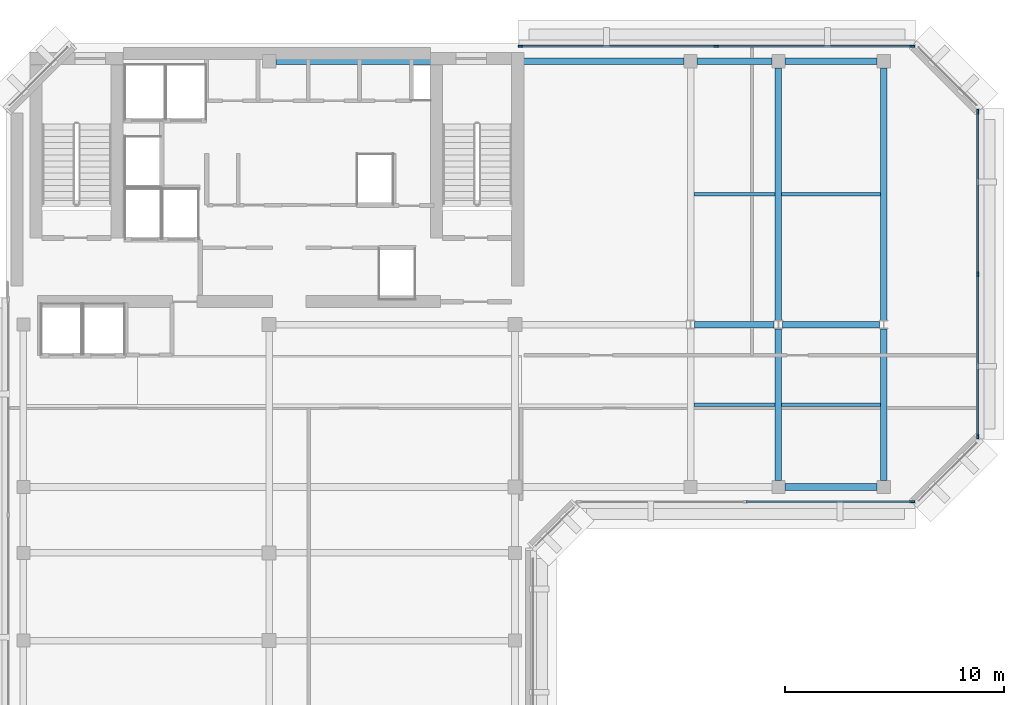
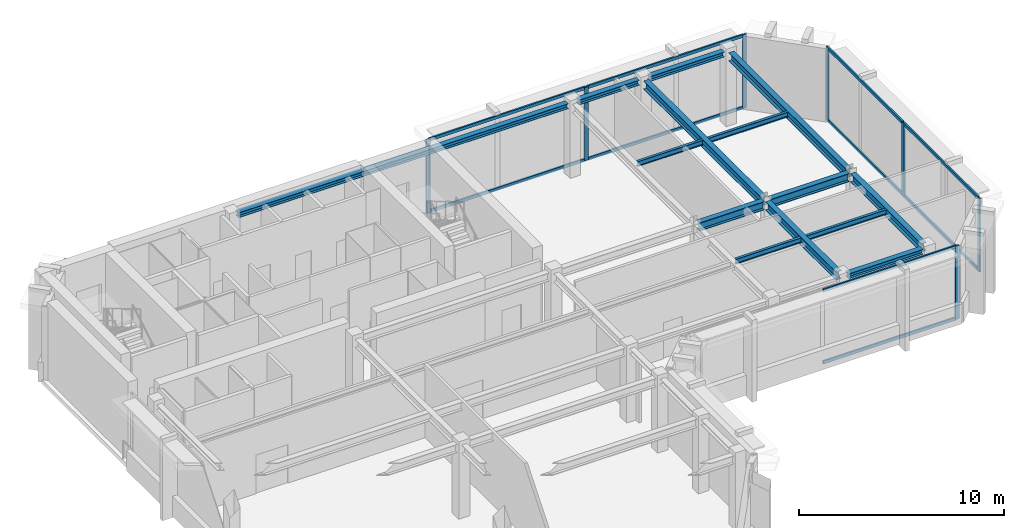
# One storey, part 3 of 9: 17 members, 14 beams, 3 elements without a shape of their own.
"""IFC4 building model written with IfcOpenShell, lengths in metres."""

from ifc_helpers import new_model, si_unit, direction, frame, origin, origin_2d, place, context, subcontext, project, spatial, rectangle, i_section, extrude, material, layer, layer_set, material_profile, profile_set, type_object, element, aggregate, save


model = new_model("IFC4")

# Units and contexts
model_context = context("Model", 3, precision=1e-05, world=origin(), true_north=direction((0.0, 1.0)))
body_context = subcontext(model_context, "Body", "Model", "MODEL_VIEW")
ifc_project = project(units=[si_unit("LENGTHUNIT", "METRE"), si_unit("AREAUNIT", "SQUARE_METRE"), si_unit("VOLUMEUNIT", "CUBIC_METRE"), si_unit("PLANEANGLEUNIT", "RADIAN"), si_unit("MASSUNIT", "GRAM", prefix="KILO")], contexts=[model_context])

# Site, building, storey
site_placement = place(None, origin())
site = spatial("IfcSite", under=ifc_project, at=site_placement, CompositionType="ELEMENT")
building_placement = place(site_placement, origin())
building = spatial("IfcBuilding", under=site, at=building_placement, Name="Kefirva Bronze Tower", CompositionType="ELEMENT")
storey_placement = place(building_placement, frame((0.0, 0.0, 352.110107421875)))
storey = spatial("IfcBuildingStorey", under=building, at=storey_placement, Name="L86", CompositionType="ELEMENT", Elevation=352.110107421875)

# Curtain wall, member
ifc_material_1 = material(Name="Bronze anodised aluminium", Category="aluminium")
ifc_layer = layer(ifc_material_1, 0.219970703125, Name="Bronze anodised aluminium")
ifc_layer_set = layer_set([ifc_layer], Name="Bronze anodised aluminium")
curtain_wall_type = type_object("IfcCurtainWallType", Name="Slanted Crown Faceted Bronze Curtain Wall", PredefinedType="USERDEFINED", material=ifc_layer_set)
curtain_wall_1_placement = place(storey_placement, origin())
curtain_wall_1 = element("IfcCurtainWall", 1, at=curtain_wall_1_placement, inside=storey, type_object=curtain_wall_type, Name="L86 Curtain Wall 2", ObjectType="UNITISED CURTAIN WALL", PredefinedType="USERDEFINED")
ifc_material_profile_1 = material_profile(ifc_material_1, rectangle(XDim=0.090087890625, YDim=0.219970703125, at=origin_2d()), Name="ALU 90x220")
ifc_profile_set_1 = profile_set([ifc_material_profile_1], Name="Bronze anodised aluminium")
member_type_1 = type_object("IfcMemberType", Name="Bronze Mullion 90x220", PredefinedType="MULLION", material=ifc_profile_set_1)
member_1_placement = place(storey_placement, frame((41.300048828125, 25.1201171875, 0.0), z_axis=(0.0, 0.0, 1.0), x_axis=(0.0, 1.0, 0.0)))
member_1 = element("IfcMember", 2, at=member_1_placement, type_object=member_type_1, Name="CW-07 mullion 3", PredefinedType="MULLION", context=body_context, shape_type="SweptSolid", body=[
    extrude(rectangle(XDim=0.090087890625, YDim=0.219970703125, at=origin_2d()), origin(), (0.0, 0.0, 1.0), 4.369873046875),
])

# Curtain wall, members
curtain_wall_2_placement = place(storey_placement, origin())
curtain_wall_2 = element("IfcCurtainWall", 3, at=curtain_wall_2_placement, inside=storey, type_object=curtain_wall_type, Name="L86 Curtain Wall 3", ObjectType="UNITISED CURTAIN WALL", PredefinedType="USERDEFINED")
member_2_placement = place(storey_placement, frame((44.280029296875, 28.10009765625, 0.0), z_axis=(0.0, 0.0, 1.0), x_axis=(-1.0, 0.0, 0.0)))
member_2 = element("IfcMember", 4, at=member_2_placement, type_object=member_type_1, Name="CW-07 mullion 1", PredefinedType="MULLION", context=body_context, shape_type="SweptSolid", body=[
    extrude(rectangle(XDim=0.090087890625, YDim=0.219970703125, at=origin_2d()), origin(), (0.0, 0.0, 1.0), 4.369873046875),
])
member_3_placement = place(storey_placement, frame((44.280029296875, 35.5, 0.0), z_axis=(0.0, 0.0, 1.0), x_axis=(-1.0, 0.0, 0.0)))
member_3 = element("IfcMember", 5, at=member_3_placement, type_object=member_type_1, Name="CW-07 mullion 2", PredefinedType="MULLION", context=body_context, shape_type="SweptSolid", body=[
    extrude(rectangle(XDim=0.090087890625, YDim=0.219970703125, at=origin_2d()), origin(), (0.0, 0.0, 1.0), 4.369873046875),
])
member_4_placement = place(storey_placement, frame((44.280029296875, 42.89990234375, 0.0), z_axis=(0.0, 0.0, 1.0), x_axis=(-1.0, 0.0, 0.0)))
member_4 = element("IfcMember", 6, at=member_4_placement, type_object=member_type_1, Name="CW-07 mullion 3", PredefinedType="MULLION", context=body_context, shape_type="SweptSolid", body=[
    extrude(rectangle(XDim=0.090087890625, YDim=0.219970703125, at=origin_2d()), origin(), (0.0, 0.0, 1.0), 4.369873046875),
])

curtain_wall_3_placement = place(storey_placement, origin())
curtain_wall_3 = element("IfcCurtainWall", 7, at=curtain_wall_3_placement, inside=storey, type_object=curtain_wall_type, Name="L86 Curtain Wall 4", ObjectType="UNITISED CURTAIN WALL", PredefinedType="USERDEFINED")
member_5_placement = place(storey_placement, frame((41.300048828125, 45.8798828125, 0.0), z_axis=(0.0, 0.0, 1.0), x_axis=(0.0, -1.0, 0.0)))
member_5 = element("IfcMember", 8, at=member_5_placement, type_object=member_type_1, Name="CW-07 mullion 1", PredefinedType="MULLION", context=body_context, shape_type="SweptSolid", body=[
    extrude(rectangle(XDim=0.090087890625, YDim=0.219970703125, at=origin_2d()), origin(), (0.0, 0.0, 1.0), 4.369873046875),
])
member_6_placement = place(storey_placement, frame((32.375, 45.8798828125, 0.0), z_axis=(0.0, 0.0, 1.0), x_axis=(0.0, -1.0, 0.0)))
member_6 = element("IfcMember", 9, at=member_6_placement, type_object=member_type_1, Name="CW-07 mullion 2", PredefinedType="MULLION", context=body_context, shape_type="SweptSolid", body=[
    extrude(rectangle(XDim=0.090087890625, YDim=0.219970703125, at=origin_2d()), origin(), (0.0, 0.0, 1.0), 4.369873046875),
])
member_7_placement = place(storey_placement, frame((23.449951171875, 45.8798828125, 0.0), z_axis=(0.0, 0.0, 1.0), x_axis=(0.0, -1.0, 0.0)))
member_7 = element("IfcMember", 10, at=member_7_placement, type_object=member_type_1, Name="CW-07 mullion 3", PredefinedType="MULLION", context=body_context, shape_type="SweptSolid", body=[
    extrude(rectangle(XDim=0.090087890625, YDim=0.219970703125, at=origin_2d()), origin(), (0.0, 0.0, 1.0), 4.369873046875),
])

# Member
ifc_material_profile_2 = material_profile(ifc_material_1, rectangle(XDim=0.090087890625, YDim=0.179931640625, at=origin_2d()), Name="ALU 90x180")
ifc_profile_set_2 = profile_set([ifc_material_profile_2], Name="Bronze anodised aluminium")
member_type_2 = type_object("IfcMemberType", Name="Bronze Transom 90x180", PredefinedType="USERDEFINED", material=ifc_profile_set_2)
member_8_placement = place(storey_placement, frame((33.7451171875, 25.1201171875, 0.044921875), z_axis=(1.0, 0.0, 0.0), x_axis=(0.0, 1.0, 0.0)))
member_8 = element("IfcMember", 11, at=member_8_placement, type_object=member_type_2, Name="CW-07 transom 2.1", ObjectType="TRANSOM", PredefinedType="USERDEFINED", context=body_context, shape_type="SweptSolid", body=[
    extrude(rectangle(XDim=0.090087890625, YDim=0.179931640625, at=origin_2d()), origin(), (0.0, 0.0, 1.0), 7.509765625),
])

member_9_placement = place(storey_placement, frame((33.7451171875, 25.1201171875, 4.324951171875), z_axis=(1.0, 0.0, 0.0), x_axis=(0.0, 1.0, 0.0)))
member_9 = element("IfcMember", 12, at=member_9_placement, type_object=member_type_2, Name="CW-07 transom 2.2", ObjectType="TRANSOM", PredefinedType="USERDEFINED", context=body_context, shape_type="SweptSolid", body=[
    extrude(rectangle(XDim=0.090087890625, YDim=0.179931640625, at=origin_2d()), origin(), (0.0, 0.0, 1.0), 7.509765625),
])

aggregate(curtain_wall_1, [member_1, member_8, member_9])

member_10_placement = place(storey_placement, frame((44.280029296875, 28.14501953125, 0.044921875), z_axis=(0.0, 1.0, 0.0), x_axis=(-1.0, 0.0, 0.0)))
member_10 = element("IfcMember", 13, at=member_10_placement, type_object=member_type_2, Name="CW-07 transom 1.1", ObjectType="TRANSOM", PredefinedType="USERDEFINED", context=body_context, shape_type="SweptSolid", body=[
    extrude(rectangle(XDim=0.090087890625, YDim=0.179931640625, at=origin_2d()), origin(), (0.0, 0.0, 1.0), 7.31005859375),
])

member_11_placement = place(storey_placement, frame((44.280029296875, 28.14501953125, 4.324951171875), z_axis=(0.0, 1.0, 0.0), x_axis=(-1.0, 0.0, 0.0)))
member_11 = element("IfcMember", 14, at=member_11_placement, type_object=member_type_2, Name="CW-07 transom 1.2", ObjectType="TRANSOM", PredefinedType="USERDEFINED", context=body_context, shape_type="SweptSolid", body=[
    extrude(rectangle(XDim=0.090087890625, YDim=0.179931640625, at=origin_2d()), origin(), (0.0, 0.0, 1.0), 7.31005859375),
])

member_12_placement = place(storey_placement, frame((44.280029296875, 35.544921875, 0.044921875), z_axis=(0.0, 1.0, 0.0), x_axis=(-1.0, 0.0, 0.0)))
member_12 = element("IfcMember", 15, at=member_12_placement, type_object=member_type_2, Name="CW-07 transom 2.1", ObjectType="TRANSOM", PredefinedType="USERDEFINED", context=body_context, shape_type="SweptSolid", body=[
    extrude(rectangle(XDim=0.090087890625, YDim=0.179931640625, at=origin_2d()), origin(), (0.0, 0.0, 1.0), 7.31005859375),
])

member_13_placement = place(storey_placement, frame((44.280029296875, 35.544921875, 4.324951171875), z_axis=(0.0, 1.0, 0.0), x_axis=(-1.0, 0.0, 0.0)))
member_13 = element("IfcMember", 16, at=member_13_placement, type_object=member_type_2, Name="CW-07 transom 2.2", ObjectType="TRANSOM", PredefinedType="USERDEFINED", context=body_context, shape_type="SweptSolid", body=[
    extrude(rectangle(XDim=0.090087890625, YDim=0.179931640625, at=origin_2d()), origin(), (0.0, 0.0, 1.0), 7.31005859375),
])

aggregate(curtain_wall_2, [member_2, member_3, member_4, member_10, member_11, member_12, member_13])

member_14_placement = place(storey_placement, frame((41.2548828125, 45.8798828125, 0.044921875), z_axis=(-1.0, 0.0, 0.0), x_axis=(0.0, -1.0, 0.0)))
member_14 = element("IfcMember", 17, at=member_14_placement, type_object=member_type_2, Name="CW-07 transom 1.1", ObjectType="TRANSOM", PredefinedType="USERDEFINED", context=body_context, shape_type="SweptSolid", body=[
    extrude(rectangle(XDim=0.090087890625, YDim=0.179931640625, at=origin_2d()), origin(), (0.0, 0.0, 1.0), 8.8349609375),
])

member_15_placement = place(storey_placement, frame((41.2548828125, 45.8798828125, 4.324951171875), z_axis=(-1.0, 0.0, 0.0), x_axis=(0.0, -1.0, 0.0)))
member_15 = element("IfcMember", 18, at=member_15_placement, type_object=member_type_2, Name="CW-07 transom 1.2", ObjectType="TRANSOM", PredefinedType="USERDEFINED", context=body_context, shape_type="SweptSolid", body=[
    extrude(rectangle(XDim=0.090087890625, YDim=0.179931640625, at=origin_2d()), origin(), (0.0, 0.0, 1.0), 8.8349609375),
])

member_16_placement = place(storey_placement, frame((32.330078125, 45.8798828125, 0.044921875), z_axis=(-1.0, 0.0, 0.0), x_axis=(0.0, -1.0, 0.0)))
member_16 = element("IfcMember", 19, at=member_16_placement, type_object=member_type_2, Name="CW-07 transom 2.1", ObjectType="TRANSOM", PredefinedType="USERDEFINED", context=body_context, shape_type="SweptSolid", body=[
    extrude(rectangle(XDim=0.090087890625, YDim=0.179931640625, at=origin_2d()), origin(), (0.0, 0.0, 1.0), 8.8349609375),
])

member_17_placement = place(storey_placement, frame((32.330078125, 45.8798828125, 4.324951171875), z_axis=(-1.0, 0.0, 0.0), x_axis=(0.0, -1.0, 0.0)))
member_17 = element("IfcMember", 20, at=member_17_placement, type_object=member_type_2, Name="CW-07 transom 2.2", ObjectType="TRANSOM", PredefinedType="USERDEFINED", context=body_context, shape_type="SweptSolid", body=[
    extrude(rectangle(XDim=0.090087890625, YDim=0.179931640625, at=origin_2d()), origin(), (0.0, 0.0, 1.0), 8.8349609375),
])

aggregate(curtain_wall_3, [member_5, member_6, member_7, member_14, member_15, member_16, member_17])

# Beams
ifc_material_2 = material(Name="Steel S355", Category="steel")
ifc_material_profile_3 = material_profile(ifc_material_2, i_section(OverallWidth=0.14990234375, OverallDepth=0.300048828125, WebThickness=0.007080078125, FlangeThickness=0.0107421875, at=origin_2d()), Name="IPE 300")
ifc_profile_set_3 = profile_set([ifc_material_profile_3], Name="Steel S355")
beam_type_1 = type_object("IfcBeamType", Name="Steel Floor Joist IPE 300", PredefinedType="JOIST", material=ifc_profile_set_3)
for number, where, z_axis, x_axis, name in (
    (21, (31.35009765625, 29.55322265625, 4.219970703125), (1.0, 0.0, 0.0), (0.0, 1.0, 0.0), "L86 JST-L86-31-295"),
    (22, (31.35009765625, 39.146728515625, 4.219970703125), (1.0, 0.0, 0.0), (0.0, 1.0, 0.0), "L86 JST-L86-31-391"),
):
    element("IfcBeam", number, at=place(storey_placement, frame(where, z_axis=z_axis, x_axis=x_axis)), inside=storey, type_object=beam_type_1, Name=name, PredefinedType="JOIST", context=body_context, shape_type="SweptSolid", body=[
        extrude(i_section(OverallWidth=0.14990234375, OverallDepth=0.300048828125, WebThickness=0.007080078125, FlangeThickness=0.0107421875, at=origin_2d()), origin(), (0.0, 0.0, 1.0), 3.699951171875),
    ])
for number, where, z_axis, x_axis, name in (
    (23, (35.35009765625, 29.55322265625, 4.219970703125), (1.0, 0.0, 0.0), (0.0, 1.0, 0.0), "L86 JST-L86-35-295"),
    (24, (35.35009765625, 39.146728515625, 4.219970703125), (1.0, 0.0, 0.0), (0.0, 1.0, 0.0), "L86 JST-L86-35-391"),
):
    element("IfcBeam", number, at=place(storey_placement, frame(where, z_axis=z_axis, x_axis=x_axis)), inside=storey, type_object=beam_type_1, Name=name, PredefinedType="JOIST", context=body_context, shape_type="SweptSolid", body=[
        extrude(i_section(OverallWidth=0.14990234375, OverallDepth=0.300048828125, WebThickness=0.007080078125, FlangeThickness=0.0107421875, at=origin_2d()), origin(), (0.0, 0.0, 1.0), 4.5),
    ])
ifc_material_profile_4 = material_profile(ifc_material_2, i_section(OverallWidth=0.300048828125, OverallDepth=0.5, WebThickness=0.014404296875, FlangeThickness=0.028076171875, at=origin_2d()), Name="HEB 500")
ifc_profile_set_4 = profile_set([ifc_material_profile_4], Name="Steel S355")
beam_type_2 = type_object("IfcBeamType", Name="Steel Girder HEB 500", PredefinedType="USERDEFINED", material=ifc_profile_set_4)
beam_1_placement = place(storey_placement, frame((31.388427734375, 33.199951171875, 4.119873046875), z_axis=(1.0, 0.0, 0.0), x_axis=(0.0, 1.0, 0.0)))
element("IfcBeam", 25, at=beam_1_placement, inside=storey, type_object=beam_type_2, Name="L86 BM-L86-EW-31-332", ObjectType="GIRDER", PredefinedType="USERDEFINED", context=body_context, shape_type="SweptSolid", body=[
    extrude(i_section(OverallWidth=0.300048828125, OverallDepth=0.5, WebThickness=0.014404296875, FlangeThickness=0.028076171875, at=origin_2d()), origin(), (0.0, 0.0, 1.0), 3.623046875),
])
beam_2_placement = place(storey_placement, frame((35.388427734375, 33.199951171875, 4.119873046875), z_axis=(1.0, 0.0, 0.0), x_axis=(0.0, 1.0, 0.0)))
element("IfcBeam", 26, at=beam_2_placement, inside=storey, type_object=beam_type_2, Name="L86 BM-L86-EW-35-332", ObjectType="GIRDER", PredefinedType="USERDEFINED", context=body_context, shape_type="SweptSolid", body=[
    extrude(i_section(OverallWidth=0.300048828125, OverallDepth=0.5, WebThickness=0.014404296875, FlangeThickness=0.028076171875, at=origin_2d()), origin(), (0.0, 0.0, 1.0), 4.423095703125),
])
beam_3_placement = place(storey_placement, frame((35.199951171875, 26.10009765625, 4.119873046875), z_axis=(0.0, 1.0, 0.0), x_axis=(-1.0, 0.0, 0.0)))
element("IfcBeam", 27, at=beam_3_placement, inside=storey, type_object=beam_type_2, Name="L86 BM-L86-NS-352-25", ObjectType="GIRDER", PredefinedType="USERDEFINED", context=body_context, shape_type="SweptSolid", body=[
    extrude(i_section(OverallWidth=0.300048828125, OverallDepth=0.5, WebThickness=0.014404296875, FlangeThickness=0.028076171875, at=origin_2d()), origin(), (0.0, 0.0, 1.0), 6.906494140625),
])
beam_4_placement = place(storey_placement, frame((35.199951171875, 33.3935546875, 4.119873046875), z_axis=(0.0, 1.0, 0.0), x_axis=(-1.0, 0.0, 0.0)))
element("IfcBeam", 28, at=beam_4_placement, inside=storey, type_object=beam_type_2, Name="L86 BM-L86-NS-352-33", ObjectType="GIRDER", PredefinedType="USERDEFINED", context=body_context, shape_type="SweptSolid", body=[
    extrude(i_section(OverallWidth=0.300048828125, OverallDepth=0.5, WebThickness=0.014404296875, FlangeThickness=0.028076171875, at=origin_2d()), origin(), (0.0, 0.0, 1.0), 11.50634765625),
])
beam_5_placement = place(storey_placement, frame((40.0, 26.10009765625, 4.119873046875), z_axis=(0.0, 1.0, 0.0), x_axis=(-1.0, 0.0, 0.0)))
element("IfcBeam", 29, at=beam_5_placement, inside=storey, type_object=beam_type_2, Name="L86 BM-L86-NS-400-25", ObjectType="GIRDER", PredefinedType="USERDEFINED", context=body_context, shape_type="SweptSolid", body=[
    extrude(i_section(OverallWidth=0.300048828125, OverallDepth=0.5, WebThickness=0.014404296875, FlangeThickness=0.028076171875, at=origin_2d()), origin(), (0.0, 0.0, 1.0), 6.906494140625),
])
beam_6_placement = place(storey_placement, frame((40.0, 33.3935546875, 4.119873046875), z_axis=(0.0, 1.0, 0.0), x_axis=(-1.0, 0.0, 0.0)))
element("IfcBeam", 30, at=beam_6_placement, inside=storey, type_object=beam_type_2, Name="L86 BM-L86-NS-400-33", ObjectType="GIRDER", PredefinedType="USERDEFINED", context=body_context, shape_type="SweptSolid", body=[
    extrude(i_section(OverallWidth=0.300048828125, OverallDepth=0.5, WebThickness=0.014404296875, FlangeThickness=0.028076171875, at=origin_2d()), origin(), (0.0, 0.0, 1.0), 11.50634765625),
])
ifc_material_profile_5 = material_profile(ifc_material_2, i_section(OverallWidth=0.300048828125, OverallDepth=0.300048828125, WebThickness=0.010986328125, FlangeThickness=0.01904296875, at=origin_2d()), Name="HEB 300")
ifc_profile_set_5 = profile_set([ifc_material_profile_5], Name="Steel S355")
beam_type_3 = type_object("IfcBeamType", Name="Steel Spandrel HEB 300 Ext", PredefinedType="SPANDREL", material=ifc_profile_set_5)
beam_7_placement = place(storey_placement, frame((35.5, 25.800048828125, 4.219970703125), z_axis=(1.0, 0.0, 0.0), x_axis=(0.0, 1.0, 0.0)))
element("IfcBeam", 31, at=beam_7_placement, inside=storey, type_object=beam_type_3, Name="L86 BM-L86-EW-35-258", PredefinedType="SPANDREL", context=body_context, shape_type="SweptSolid", body=[
    extrude(i_section(OverallWidth=0.300048828125, OverallDepth=0.300048828125, WebThickness=0.010986328125, FlangeThickness=0.01904296875, at=origin_2d()), origin(), (0.0, 0.0, 1.0), 4.199951171875),
])
beam_8_placement = place(storey_placement, frame((12.300048828125, 45.199951171875, 4.219970703125), z_axis=(1.0, 0.0, 0.0), x_axis=(0.0, 1.0, 0.0)))
element("IfcBeam", 32, at=beam_8_placement, inside=storey, type_object=beam_type_3, Name="L86 BM-L86-EW-12-452", PredefinedType="SPANDREL", context=body_context, shape_type="SweptSolid", body=[
    extrude(i_section(OverallWidth=0.300048828125, OverallDepth=0.300048828125, WebThickness=0.010986328125, FlangeThickness=0.01904296875, at=origin_2d()), origin(), (0.0, 0.0, 1.0), 18.599853515625),
])
beam_9_placement = place(storey_placement, frame((31.5, 45.199951171875, 4.219970703125), z_axis=(1.0, 0.0, 0.0), x_axis=(0.0, 1.0, 0.0)))
element("IfcBeam", 33, at=beam_9_placement, inside=storey, type_object=beam_type_3, Name="L86 BM-L86-EW-31-452", PredefinedType="SPANDREL", context=body_context, shape_type="SweptSolid", body=[
    extrude(i_section(OverallWidth=0.300048828125, OverallDepth=0.300048828125, WebThickness=0.010986328125, FlangeThickness=0.01904296875, at=origin_2d()), origin(), (0.0, 0.0, 1.0), 3.39990234375),
])
beam_10_placement = place(storey_placement, frame((35.5, 45.199951171875, 4.219970703125), z_axis=(1.0, 0.0, 0.0), x_axis=(0.0, 1.0, 0.0)))
element("IfcBeam", 34, at=beam_10_placement, inside=storey, type_object=beam_type_3, Name="L86 BM-L86-EW-35-452", PredefinedType="SPANDREL", context=body_context, shape_type="SweptSolid", body=[
    extrude(i_section(OverallWidth=0.300048828125, OverallDepth=0.300048828125, WebThickness=0.010986328125, FlangeThickness=0.01904296875, at=origin_2d()), origin(), (0.0, 0.0, 1.0), 4.199951171875),
])

save(model, "model.ifc")
